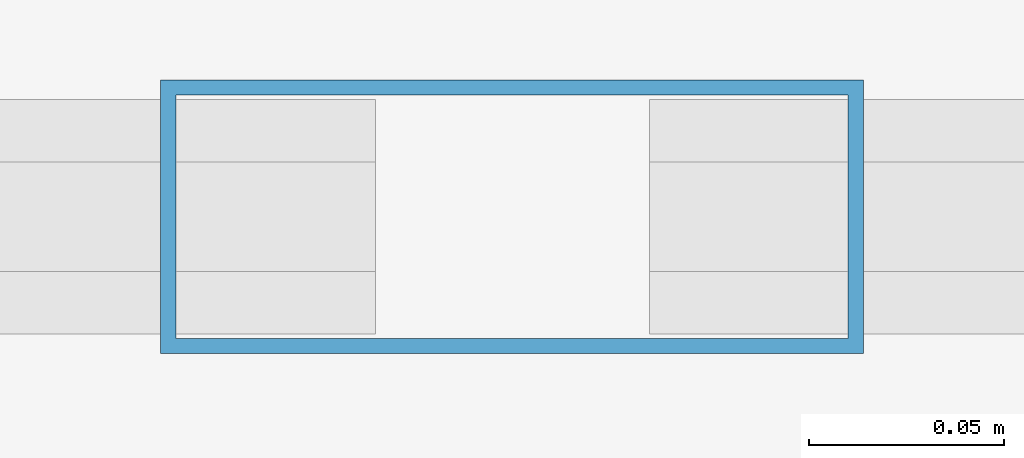
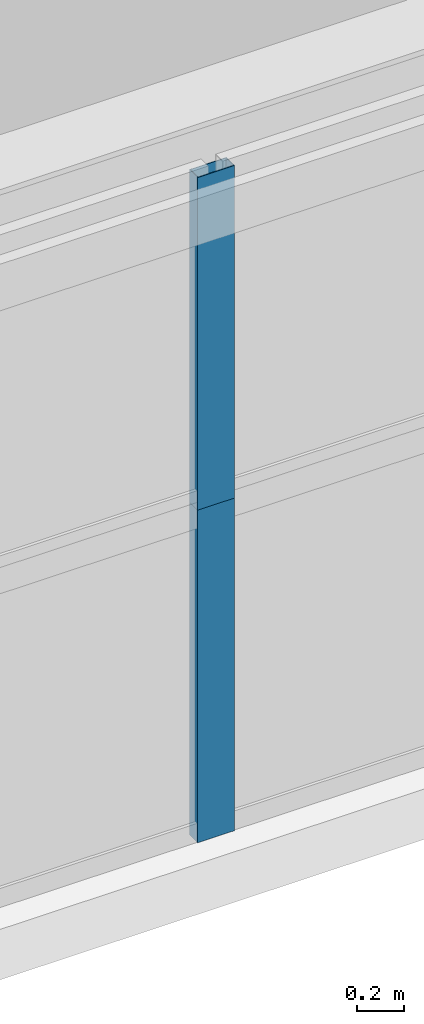
# One storey, part 7 of 27: 2 members, 2 elements without a shape of their own.
"""IFC4 building model written with IfcOpenShell, lengths in metres."""

from ifc_helpers import new_model, si_unit, direction, frame, origin, origin_2d, place, context, subcontext, project, spatial, hollow_rectangle, extrude, source, transform, mapped, material, layer, layer_set, material_profile, profile_set, type_object, element, aggregate, save


model = new_model("IFC4")

# Units and contexts
model_context = context("Model", 3, precision=1e-05, world=origin(), true_north=direction((0.0, 1.0)))
body_context = subcontext(model_context, "Body", "Model", "MODEL_VIEW")
ifc_project = project(units=[si_unit("LENGTHUNIT", "METRE"), si_unit("AREAUNIT", "SQUARE_METRE"), si_unit("VOLUMEUNIT", "CUBIC_METRE"), si_unit("PLANEANGLEUNIT", "RADIAN"), si_unit("MASSUNIT", "GRAM", prefix="KILO")], contexts=[model_context])

# Site, building, storey
site_placement = place(None, origin())
site = spatial("IfcSite", under=ifc_project, at=site_placement, CompositionType="ELEMENT")
building_placement = place(site_placement, origin())
building = spatial("IfcBuilding", under=site, at=building_placement, Name="Taldren Reach Tower", CompositionType="ELEMENT")
storey_placement = place(building_placement, frame((0.0, 0.0, 12.949951171875)))
storey = spatial("IfcBuildingStorey", under=building, at=storey_placement, Name="L03", CompositionType="ELEMENT", Elevation=12.949951171875)

# Curtain wall, member
ifc_material_1 = material(Name="Aluminium and Low-E Glass Unitised System", Category="aluminium")
ifc_layer = layer(ifc_material_1, 0.159912109375)
ifc_layer_set = layer_set([ifc_layer], Name="Aluminium and Low-E Glass Unitised System")
curtain_wall_type = type_object("IfcCurtainWallType", Name="CW-SYS-1", PredefinedType="NOTDEFINED", material=ifc_layer_set)
curtain_wall_1_placement = place(storey_placement, origin())
curtain_wall_1 = element("IfcCurtainWall", 1, at=curtain_wall_1_placement, inside=storey, type_object=curtain_wall_type, Name="Unitised curtain wall CW1-L03-S1", PredefinedType="NOTDEFINED")
ifc_material_2 = material(Name="Anodised Aluminium 6063-T6", Category="aluminium")
ifc_material_profile = material_profile(ifc_material_2, hollow_rectangle(XDim=0.070068359375, YDim=0.179931640625, WallThickness=0.00390625, at=origin_2d()), Name="ALU-180x70x4RHS")
ifc_profile_set = profile_set([ifc_material_profile], Name="Anodised Aluminium 6063-T6")
member_type = type_object("IfcMemberType", Name="CW-MUL-180", PredefinedType="MULLION", material=ifc_profile_set)
shared_shape_1 = source(origin(), body_context, "Body", "SweptSolid", [
    extrude(hollow_rectangle(XDim=0.070068359375, YDim=0.179931640625, WallThickness=0.00390625, at=origin_2d()), origin(), (0.0, 0.0, 1.0), 1.715087890625),
])
member_1_placement = place(storey_placement, frame((13.39990234375, 0.169921875, 0.0), z_axis=(0.0, 0.0, 1.0), x_axis=(0.0, 1.0, 0.0)))
member_1 = element("IfcMember", 2, at=member_1_placement, type_object=member_type, Name="CW-1 mullion 2", PredefinedType="MULLION", context=body_context, shape_type="MappedRepresentation", body=[
    mapped(shared_shape_1, transform((0.0, 0.0, 0.0), scale=1.0)),
])
aggregate(curtain_wall_1, [member_1])

curtain_wall_2_placement = place(storey_placement, origin())
curtain_wall_2 = element("IfcCurtainWall", 3, at=curtain_wall_2_placement, inside=storey, type_object=curtain_wall_type, Name="Unitised curtain wall CW1-L03-S1-T2", PredefinedType="NOTDEFINED")
shared_shape_2 = source(origin(), body_context, "Body", "SweptSolid", [
    extrude(hollow_rectangle(XDim=0.070068359375, YDim=0.179931640625, WallThickness=0.00390625, at=origin_2d()), origin(), (0.0, 0.0, 1.0), 1.71484375),
])
member_2_placement = place(storey_placement, frame((13.39990234375, 0.169921875, 1.715087890625), z_axis=(0.0, 0.0, 1.0), x_axis=(0.0, 1.0, 0.0)))
member_2 = element("IfcMember", 4, at=member_2_placement, type_object=member_type, Name="CW-1 mullion 2", PredefinedType="MULLION", context=body_context, shape_type="MappedRepresentation", body=[
    mapped(shared_shape_2, transform((0.0, 0.0, 0.0), scale=1.0)),
])
aggregate(curtain_wall_2, [member_2])

save(model, "model.ifc")
